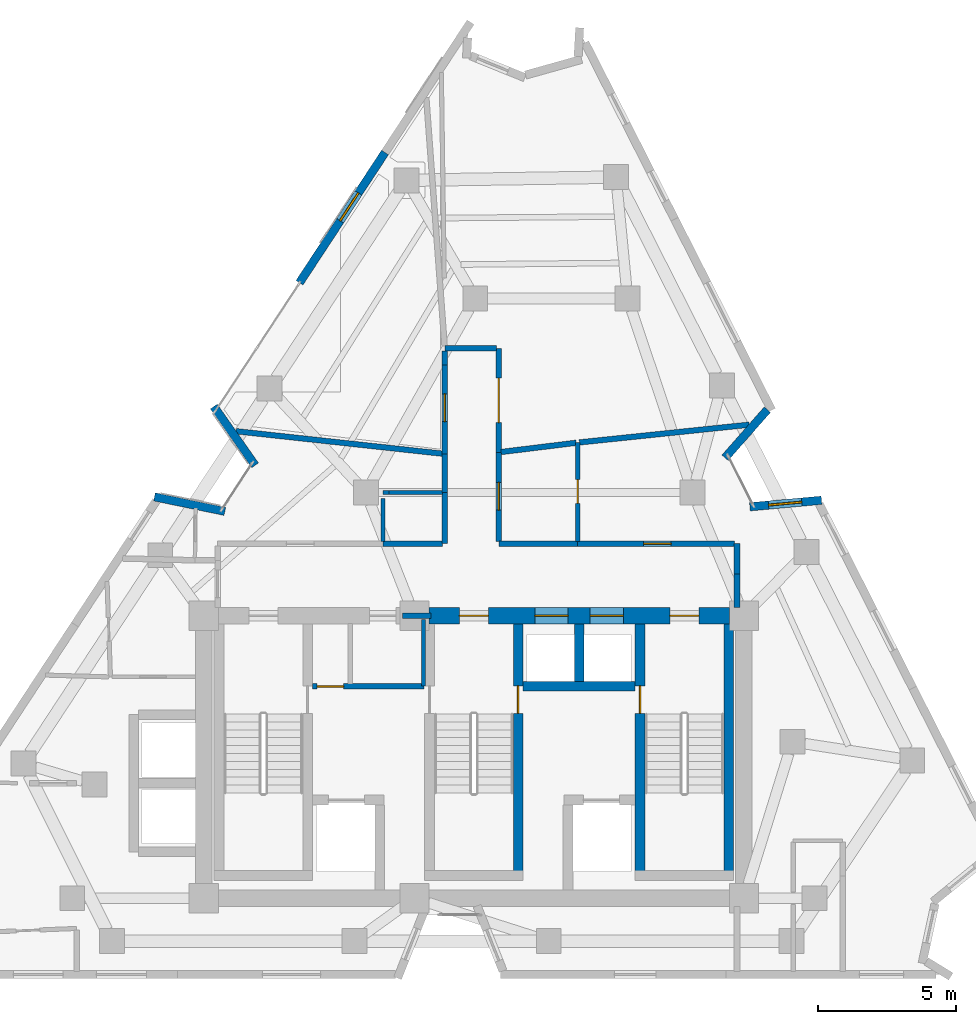
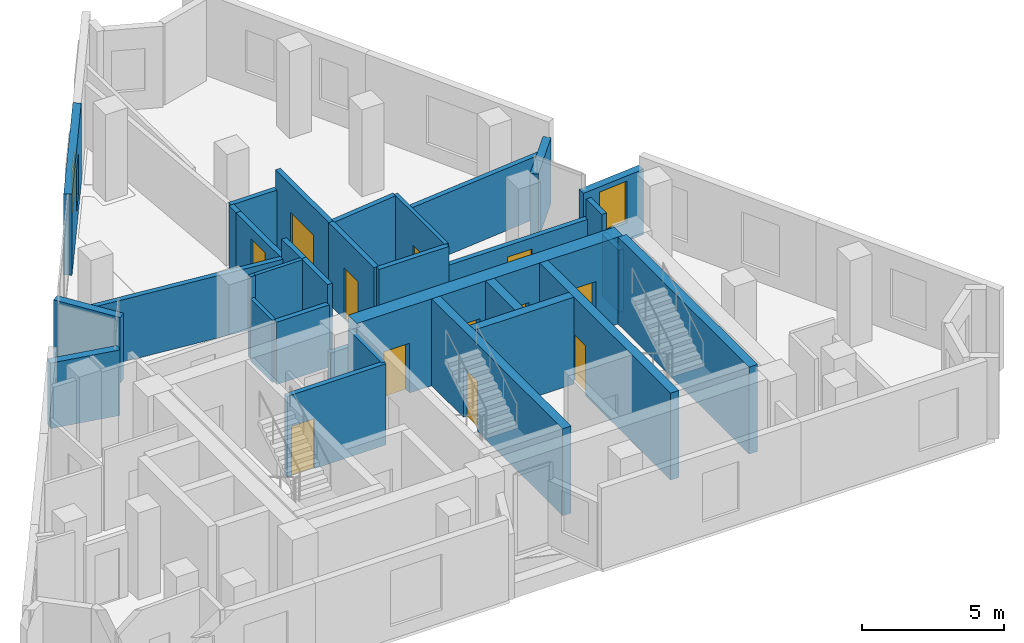
# One storey, part 6 of 8: 33 walls, 12 doors, 2 windows, 14 openings.
"""IFC4 building model written with IfcOpenShell, lengths in metres."""

from ifc_helpers import new_model, si_unit, direction, frame, frame_2d, origin, place, context, subcontext, project, spatial, rectangle, extrude, material, layer, layer_set, type_object, element, fill, save


model = new_model("IFC4")

# Units and contexts
model_context = context("Model", 3, precision=1e-05, world=origin(), true_north=direction((0.0, 1.0)))
body_context = subcontext(model_context, "Body", "Model", "MODEL_VIEW")
ifc_project = project(units=[si_unit("LENGTHUNIT", "METRE"), si_unit("AREAUNIT", "SQUARE_METRE"), si_unit("VOLUMEUNIT", "CUBIC_METRE"), si_unit("PLANEANGLEUNIT", "RADIAN"), si_unit("MASSUNIT", "GRAM", prefix="KILO")], contexts=[model_context])

# Site, building, storey
site_placement = place(None, origin())
site = spatial("IfcSite", under=ifc_project, at=site_placement, CompositionType="ELEMENT")
building_placement = place(site_placement, origin())
building = spatial("IfcBuilding", under=site, at=building_placement, Name="Almagre Mirador Tower", CompositionType="ELEMENT")
storey_placement = place(building_placement, frame((0.0, 0.0, 240.75)))
storey = spatial("IfcBuildingStorey", under=building, at=storey_placement, Name="L62", CompositionType="ELEMENT", Elevation=240.75)

# Walls
ifc_material_1 = material(Name="Precast concrete C50/60", Category="concrete")
ifc_layer_1 = layer(ifc_material_1, 0.300048828125)
ifc_layer_set_1 = layer_set([ifc_layer_1], Name="Precast concrete C50/60")
wall_type_1 = type_object("IfcWallType", Name="WAL-EXT-300", PredefinedType="SOLIDWALL", material=ifc_layer_set_1)
wall_1_placement = place(storey_placement, frame((25.77001953125, 19.040283203125, 0.0), z_axis=(0.0, 0.0, 1.0), x_axis=(0.979494216194, -0.20147228207, 0.0)))
element("IfcWall", 1, at=wall_1_placement, inside=storey, type_object=wall_type_1, Name="L62 expressed almagre precast frame wall 01", PredefinedType="SOLIDWALL", context=body_context, shape_type="SweptSolid", body=[
    extrude(rectangle(XDim=2.59326171875, YDim=0.300048828125, at=frame_2d((1.296630859375, 0.0))), origin(), (0.0, 0.0, 1.0), 2.824951171875),
])
wall_2_placement = place(storey_placement, frame((29.4013671875, 20.178466796875, 0.0), z_axis=(0.0, 0.0, 1.0), x_axis=(-0.573967598523, 0.818878010356, 0.0)))
element("IfcWall", 2, at=wall_2_placement, inside=storey, type_object=wall_type_1, Name="L62 expressed almagre precast frame wall 02", PredefinedType="SOLIDWALL", context=body_context, shape_type="SweptSolid", body=[
    extrude(rectangle(XDim=2.59375, YDim=0.300048828125, at=frame_2d((1.296875, 0.0))), origin(), (0.0, 0.0, 1.0), 2.824951171875),
])

# Wall, opening, window
wall_3_placement = place(storey_placement, frame((31.00439453125, 26.77197265625, 0.0), z_axis=(0.0, 0.0, 1.0), x_axis=(0.549047957694, 0.835790847134, 0.0)))
wall_3 = element("IfcWall", 3, at=wall_3_placement, inside=storey, type_object=wall_type_1, Name="L62 expressed almagre precast frame wall 03", PredefinedType="SOLIDWALL", context=body_context, shape_type="SweptSolid", body=[
    extrude(rectangle(XDim=5.62451171875, YDim=0.300048828125, at=frame_2d((2.812255859375, 0.0))), origin(), (0.0, 0.0, 1.0), 3.5),
])
opening_1_placement = place(wall_3_placement, frame((2.675048828125, 0.0, 0.800048828125)))
opening_1 = element("IfcOpeningElement", 4, at=opening_1_placement, cuts=wall_3, Name="Opening WN-04", PredefinedType="OPENING", context=body_context, shape_type="SweptSolid", body=[
    extrude(rectangle(XDim=1.199951171875, YDim=1.800048828125, at=frame_2d((0.60009765625, 0.89990234375))), frame((0.0, 0.159902, 0.0), z_axis=(0.0, -1.0, 0.0), x_axis=(1.0, 0.0, 0.0)), (0.0, 0.0, 1.0), 0.320049),
])
ifc_material_2 = material(Name="Dark solar-control laminated hurricane glass", Category="glass")
window_type = type_object("IfcWindowType", Name="WIN-1200X1800", PartitioningType="SINGLE_PANEL", PredefinedType="WINDOW", material=ifc_material_2)
window_1_placement = place(opening_1_placement, origin())
window_1 = element("IfcWindow", 5, at=window_1_placement, inside=storey, type_object=window_type, Name="L62 recessed hurricane window L62-UH-KT", OverallHeight=1.800048828125, OverallWidth=1.199951171875, PartitioningType="SINGLE_PANEL", PredefinedType="WINDOW", context=body_context, shape_type="SweptSolid", body=[
    extrude(rectangle(XDim=1.199951171875, YDim=1.800048828125, at=frame_2d((0.60009765625, 0.89990234375))), frame((0.0, 0.030029296875, 0.0), z_axis=(0.0, -1.0, 0.0), x_axis=(1.0, 0.0, 0.0)), (0.0, 0.0, 1.0), 0.06005859375),
])
fill(opening_1, window_1)

# Wall
wall_4_placement = place(storey_placement, frame((47.896484375, 22.18896484375, 0.0), z_axis=(0.0, 0.0, 1.0), x_axis=(-0.660944240616, -0.750435014373, 0.0)))
element("IfcWall", 6, at=wall_4_placement, inside=storey, type_object=wall_type_1, Name="L62 expressed almagre precast frame wall 11", PredefinedType="SOLIDWALL", context=body_context, shape_type="SweptSolid", body=[
    extrude(rectangle(XDim=2.3134765625, YDim=0.300048828125, at=frame_2d((1.15673828125, 0.0))), origin(), (0.0, 0.0, 1.0), 2.824951171875),
])

# Wall, opening, window
wall_5_placement = place(storey_placement, frame((47.2666015625, 18.68212890625, 0.0), z_axis=(0.0, 0.0, 1.0), x_axis=(0.995834379581, 0.091180526676, 0.0)))
wall_5 = element("IfcWall", 7, at=wall_5_placement, inside=storey, type_object=wall_type_1, Name="L62 expressed almagre precast frame wall 12", PredefinedType="SOLIDWALL", context=body_context, shape_type="SweptSolid", body=[
    extrude(rectangle(XDim=2.594482421875, YDim=0.300048828125, at=frame_2d((1.29736328125, 0.0))), origin(), (0.0, 0.0, 1.0), 2.824951171875),
])
opening_2_placement = place(wall_5_placement, frame((0.675048828125, 0.0, 0.800048828125)))
opening_2 = element("IfcOpeningElement", 8, at=opening_2_placement, cuts=wall_5, Name="Opening WN-04", PredefinedType="OPENING", context=body_context, shape_type="SweptSolid", body=[
    extrude(rectangle(XDim=1.199951171875, YDim=1.800048828125, at=frame_2d((0.60009765625, 0.89990234375))), frame((0.0, 0.159902, 0.0), z_axis=(0.0, -1.0, 0.0), x_axis=(1.0, 0.0, 0.0)), (0.0, 0.0, 1.0), 0.320049),
])
window_2_placement = place(opening_2_placement, origin())
window_2 = element("IfcWindow", 9, at=window_2_placement, inside=storey, type_object=window_type, Name="L62 recessed hurricane window L62-UG-ST", OverallHeight=1.800048828125, OverallWidth=1.199951171875, PartitioningType="SINGLE_PANEL", PredefinedType="WINDOW", context=body_context, shape_type="SweptSolid", body=[
    extrude(rectangle(XDim=1.199951171875, YDim=1.800048828125, at=frame_2d((0.60009765625, 0.89990234375))), frame((0.0, 0.030029296875, 0.0), z_axis=(0.0, -1.0, 0.0), x_axis=(1.0, 0.0, 0.0)), (0.0, 0.0, 1.0), 0.06005859375),
])
fill(opening_2, window_2)

# Walls
ifc_material_3 = material(Name="Gypsum acoustic stud partition", Category="other")
ifc_layer_2 = layer(ifc_material_3, 0.14990234375)
ifc_layer_set_2 = layer_set([ifc_layer_2], Name="Gypsum acoustic stud partition")
wall_type_2 = type_object("IfcWallType", Name="WAL-PRT-150-STD", PredefinedType="PARTITIONING", material=ifc_layer_set_2)
wall_6_placement = place(storey_placement, frame((34.02001953125, 17.43505859375, 0.0), z_axis=(0.0, 0.0, 1.0), x_axis=(0.0, 1.0, 0.0)))
element("IfcWall", 10, at=wall_6_placement, inside=storey, type_object=wall_type_2, Name="L62 interior partition 045", PredefinedType="PARTITIONING", context=body_context, shape_type="SweptSolid", body=[
    extrude(rectangle(XDim=1.544921875, YDim=0.14990234375, at=frame_2d((0.7724609375, 0.0))), origin(), (0.0, 0.0, 1.0), 2.68505859375),
])
wall_7_placement = place(storey_placement, frame((34.239990234375, 19.199951171875, 0.0), z_axis=(0.0, 0.0, 1.0), x_axis=(1.0, 0.0, 0.0)))
element("IfcWall", 11, at=wall_7_placement, inside=storey, type_object=wall_type_2, Name="L62 interior partition 046", PredefinedType="PARTITIONING", context=body_context, shape_type="SweptSolid", body=[
    extrude(rectangle(XDim=1.925048828125, YDim=0.14990234375, at=frame_2d((0.96240234375, 0.0))), origin(), (0.0, 0.0, 1.0), 3.5),
])

# Wall, opening, door
wall_8_placement = place(storey_placement, frame((41.050048828125, 21.0, 0.0), z_axis=(0.0, 0.0, 1.0), x_axis=(0.0, -1.0, 0.0)))
wall_8 = element("IfcWall", 12, at=wall_8_placement, inside=storey, type_object=wall_type_2, Name="L62 interior partition 051", PredefinedType="PARTITIONING", context=body_context, shape_type="SweptSolid", body=[
    extrude(rectangle(XDim=3.56494140625, YDim=0.14990234375, at=frame_2d((1.782470703125, 0.0))), origin(), (0.0, 0.0, 1.0), 3.5),
])
opening_3_placement = place(wall_8_placement, frame((1.340087890625, 0.0, 0.0)))
opening_3 = element("IfcOpeningElement", 13, at=opening_3_placement, cuts=wall_8, Name="Opening UD-04", PredefinedType="OPENING", context=body_context, shape_type="SweptSolid", body=[
    extrude(rectangle(XDim=0.85009765625, YDim=2.10009765625, at=frame_2d((0.425048828125, 1.050048828125))), frame((0.0, 0.084951, 0.0), z_axis=(0.0, -1.0, 0.0), x_axis=(1.0, 0.0, 0.0)), (0.0, 0.0, 1.0), 0.169902),
])
ifc_material_4 = material(Name="Moisture-resistant oak timber", Category="wood")
door_type_1 = type_object("IfcDoorType", Name="DOR-UNR-850X2100", OperationType="NOTDEFINED", PredefinedType="DOOR", material=ifc_material_4)
door_1_placement = place(opening_3_placement, origin())
door_1 = element("IfcDoor", 14, at=door_1_placement, inside=storey, type_object=door_type_1, Name="DR-1922 L62 interior door L62-UG-ST to L62-UG-BT", OperationType="SINGLE_SWING_RIGHT", OverallHeight=2.10009765625, OverallWidth=0.85009765625, PredefinedType="DOOR", context=body_context, shape_type="SweptSolid", body=[
    extrude(rectangle(XDim=0.85009765625, YDim=2.10009765625, at=frame_2d((0.425048828125, 1.050048828125))), frame((0.0, 0.02490234375, 0.0), z_axis=(0.0, -1.0, 0.0), x_axis=(1.0, 0.0, 0.0)), (0.0, 0.0, 1.0), 0.050048828125),
])
fill(opening_3, door_1)

# Walls
wall_9_placement = place(storey_placement, frame((34.239990234375, 19.199951171875, 0.0), z_axis=(0.0, 0.0, 1.0), x_axis=(-1.0, 0.0, 0.0)))
element("IfcWall", 15, at=wall_9_placement, inside=storey, type_object=wall_type_2, Name="L62 interior partition 069", PredefinedType="PARTITIONING", context=body_context, shape_type="SweptSolid", body=[
    extrude(rectangle(XDim=0.219970703125, YDim=0.14990234375, at=frame_2d((0.10986328125, 0.0))), origin(), (0.0, 0.0, 1.0), 3.5),
])
ifc_material_5 = material(Name="Gypsum acoustic stud partition", Category="other")
ifc_layer_3 = layer(ifc_material_5, 0.199951171875)
ifc_layer_set_3 = layer_set([ifc_layer_3], Name="Gypsum acoustic stud partition")
wall_type_3 = type_object("IfcWallType", Name="WAL-PRT-200-EI60", PredefinedType="PARTITIONING", material=ifc_layer_set_3)
wall_10_placement = place(storey_placement, frame((34.719970703125, 14.75, 0.0), z_axis=(0.0, 0.0, 1.0), x_axis=(1.0, 0.0, 0.0)))
element("IfcWall", 16, at=wall_10_placement, inside=storey, type_object=wall_type_3, Name="L62 core north closure wall", PredefinedType="PARTITIONING", context=body_context, shape_type="SweptSolid", body=[
    extrude(rectangle(XDim=1.030029296875, YDim=0.199951171875, at=frame_2d((0.51513671875, 0.0))), origin(), (0.0, 0.0, 1.0), 2.68505859375),
])

# Wall, opening, door
wall_11_placement = place(storey_placement, frame((31.47998046875, 12.199951171875, 0.0), z_axis=(0.0, 0.0, 1.0), x_axis=(1.0, 0.0, 0.0)))
wall_11 = element("IfcWall", 17, at=wall_11_placement, inside=storey, type_object=wall_type_3, Name="L62 FFL-1 north enclosure wall", PredefinedType="PARTITIONING", context=body_context, shape_type="SweptSolid", body=[
    extrude(rectangle(XDim=4.024658203125, YDim=0.199951171875, at=frame_2d((2.01220703125, 0.0))), origin(), (0.0, 0.0, 1.0), 3.5),
])
opening_4_placement = place(wall_11_placement, frame((0.1650390625, 0.0, 0.0)))
opening_4 = element("IfcOpeningElement", 18, at=opening_4_placement, cuts=wall_11, Name="Opening ID-02", PredefinedType="OPENING", context=body_context, shape_type="SweptSolid", body=[
    extrude(rectangle(XDim=0.949951171875, YDim=2.14990234375, at=frame_2d((0.47509765625, 1.074951171875))), frame((0.0, 0.110098, 0.0), z_axis=(0.0, -1.0, 0.0), x_axis=(1.0, 0.0, 0.0)), (0.0, 0.0, 1.0), 0.219951),
])
ifc_material_6 = material(Name="Fire-rated walnut timber", Category="wood")
door_type_2 = type_object("IfcDoorType", Name="DOR-FD60-950X2150", OperationType="NOTDEFINED", PredefinedType="DOOR", material=ifc_material_6)
door_2_placement = place(opening_4_placement, origin())
door_2 = element("IfcDoor", 19, at=door_2_placement, inside=storey, type_object=door_type_2, Name="DR-1909 L62 FFL-1 north smoke door", OperationType="SINGLE_SWING_RIGHT", OverallHeight=2.14990234375, OverallWidth=0.949951171875, PredefinedType="DOOR", context=body_context, shape_type="SweptSolid", body=[
    extrude(rectangle(XDim=0.949951171875, YDim=2.14990234375, at=frame_2d((0.47509765625, 1.074951171875))), frame((0.0, 0.02490234375, 0.0), z_axis=(0.0, -1.0, 0.0), x_axis=(1.0, 0.0, 0.0)), (0.0, 0.0, 1.0), 0.050048828125),
])
fill(opening_4, door_2)

# Walls
wall_12_placement = place(storey_placement, frame((35.47998046875, 12.219970703125, 0.0), z_axis=(0.0, 0.0, 1.0), x_axis=(0.0, 1.0, 0.0)))
element("IfcWall", 20, at=wall_12_placement, inside=storey, type_object=wall_type_3, Name="L62 core riser east wall", PredefinedType="PARTITIONING", context=body_context, shape_type="SweptSolid", body=[
    extrude(rectangle(XDim=2.396240234375, YDim=0.14990234375, at=frame_2d((1.1982421875, 0.0))), origin(), (0.0, 0.0, 1.0), 3.5),
])
wall_13_placement = place(storey_placement, frame((36.25, 20.590087890625, 0.0), z_axis=(0.0, 0.0, 1.0), x_axis=(0.0, -1.0, 0.0)))
element("IfcWall", 21, at=wall_13_placement, inside=storey, type_object=wall_type_3, Name="L62 interior partition 004", PredefinedType="PARTITIONING", context=body_context, shape_type="SweptSolid", body=[
    extrude(rectangle(XDim=1.39013671875, YDim=0.199951171875, at=frame_2d((0.695068359375, 0.0))), origin(), (0.0, 0.0, 1.0), 3.5),
])
wall_14_placement = place(storey_placement, frame((36.25, 19.199951171875, 0.0), z_axis=(0.0, 0.0, 1.0), x_axis=(0.0, -1.0, 0.0)))
element("IfcWall", 22, at=wall_14_placement, inside=storey, type_object=wall_type_3, Name="L62 interior partition 005", PredefinedType="PARTITIONING", context=body_context, shape_type="SweptSolid", body=[
    extrude(rectangle(XDim=1.849853515625, YDim=0.199951171875, at=frame_2d((0.9248046875, 0.0))), origin(), (0.0, 0.0, 1.0), 3.5),
])
wall_15_placement = place(storey_placement, frame((36.1650390625, 17.35009765625, 0.0), z_axis=(0.0, 0.0, 1.0), x_axis=(-1.0, 0.0, 0.0)))
element("IfcWall", 23, at=wall_15_placement, inside=storey, type_object=wall_type_3, Name="L62 interior partition 006", PredefinedType="PARTITIONING", context=body_context, shape_type="SweptSolid", body=[
    extrude(rectangle(XDim=2.14501953125, YDim=0.199951171875, at=frame_2d((1.072509765625, 0.0))), origin(), (0.0, 0.0, 1.0), 2.68505859375),
])
wall_16_placement = place(storey_placement, frame((46.800048828125, 16.25, 0.0), z_axis=(0.0, 0.0, 1.0), x_axis=(0.0, 1.0, 0.0)))
element("IfcWall", 24, at=wall_16_placement, inside=storey, type_object=wall_type_3, Name="L62 interior partition 007", PredefinedType="PARTITIONING", context=body_context, shape_type="SweptSolid", body=[
    extrude(rectangle(XDim=1.10009765625, YDim=0.199951171875, at=frame_2d((0.550048828125, 0.0))), origin(), (0.0, 0.0, 1.0), 3.5),
])

# Wall, opening, door
wall_17_placement = place(storey_placement, frame((46.715087890625, 17.35009765625, 0.0), z_axis=(0.0, 0.0, 1.0), x_axis=(-1.0, 0.0, 0.0)))
wall_17 = element("IfcWall", 25, at=wall_17_placement, inside=storey, type_object=wall_type_3, Name="L62 interior partition 008", PredefinedType="PARTITIONING", context=body_context, shape_type="SweptSolid", body=[
    extrude(rectangle(XDim=5.6650390625, YDim=0.199951171875, at=frame_2d((2.83251953125, 0.0))), origin(), (0.0, 0.0, 1.0), 2.68505859375),
])
opening_5_placement = place(wall_17_placement, frame((2.2900390625, 0.0, 0.0)))
opening_5 = element("IfcOpeningElement", 26, at=opening_5_placement, cuts=wall_17, Name="Opening ID-01", PredefinedType="OPENING", context=body_context, shape_type="SweptSolid", body=[
    extrude(rectangle(XDim=1.0, YDim=2.199951171875, at=frame_2d((0.5, 1.10009765625))), frame((0.0, 0.110098, 0.0), z_axis=(0.0, -1.0, 0.0), x_axis=(1.0, 0.0, 0.0)), (0.0, 0.0, 1.0), 0.219951),
])
ifc_material_7 = material(Name="Fire-rated walnut timber", Category="wood")
door_type_3 = type_object("IfcDoorType", Name="DOR-FD60-1000X2200", OperationType="NOTDEFINED", PredefinedType="DOOR", material=ifc_material_7)
door_3_placement = place(opening_5_placement, origin())
door_3 = element("IfcDoor", 27, at=door_3_placement, inside=storey, type_object=door_type_3, Name="DR-1921 L62 interior door L62-RCOR to L62-UG-ST", OperationType="SINGLE_SWING_LEFT", OverallHeight=2.199951171875, OverallWidth=1.0, PredefinedType="DOOR", context=body_context, shape_type="SweptSolid", body=[
    extrude(rectangle(XDim=1.0, YDim=2.199951171875, at=frame_2d((0.5, 1.10009765625))), frame((0.0, 0.02490234375, 0.0), z_axis=(0.0, -1.0, 0.0), x_axis=(1.0, 0.0, 0.0)), (0.0, 0.0, 1.0), 0.050048828125),
])
fill(opening_5, door_3)

# Walls
wall_18_placement = place(storey_placement, frame((46.800048828125, 15.050048828125, 0.0), z_axis=(0.0, 0.0, 1.0), x_axis=(0.0, 1.0, 0.0)))
element("IfcWall", 28, at=wall_18_placement, inside=storey, type_object=wall_type_3, Name="L62 interior partition 009", PredefinedType="PARTITIONING", context=body_context, shape_type="SweptSolid", body=[
    extrude(rectangle(XDim=1.199951171875, YDim=0.199951171875, at=frame_2d((0.60009765625, 0.0))), origin(), (0.0, 0.0, 1.0), 2.68505859375),
])
wall_19_placement = place(storey_placement, frame((41.050048828125, 17.35009765625, 0.0), z_axis=(0.0, 0.0, 1.0), x_axis=(-1.0, 0.0, 0.0)))
element("IfcWall", 29, at=wall_19_placement, inside=storey, type_object=wall_type_3, Name="L62 interior partition 010", PredefinedType="PARTITIONING", context=body_context, shape_type="SweptSolid", body=[
    extrude(rectangle(XDim=2.85009765625, YDim=0.199951171875, at=frame_2d((1.425048828125, 0.0))), origin(), (0.0, 0.0, 1.0), 3.5),
])

# Wall, opening, door
wall_20_placement = place(storey_placement, frame((38.199951171875, 17.43505859375, 0.0), z_axis=(0.0, 0.0, 1.0), x_axis=(0.0, 1.0, 0.0)))
wall_20 = element("IfcWall", 30, at=wall_20_placement, inside=storey, type_object=wall_type_3, Name="L62 interior partition 011", PredefinedType="PARTITIONING", context=body_context, shape_type="SweptSolid", body=[
    extrude(rectangle(XDim=3.21484375, YDim=0.199951171875, at=frame_2d((1.607421875, 0.0))), origin(), (0.0, 0.0, 1.0), 3.5),
])
opening_6_placement = place(wall_20_placement, frame((1.12451171875, 0.0, 0.0)))
opening_6 = element("IfcOpeningElement", 31, at=opening_6_placement, cuts=wall_20, Name="Opening ID-01", PredefinedType="OPENING", context=body_context, shape_type="SweptSolid", body=[
    extrude(rectangle(XDim=1.0, YDim=2.199951171875, at=frame_2d((0.5, 1.10009765625))), frame((0.0, 0.110098, 0.0), z_axis=(0.0, -1.0, 0.0), x_axis=(1.0, 0.0, 0.0)), (0.0, 0.0, 1.0), 0.219951),
])
door_4_placement = place(opening_6_placement, origin())
door_4 = element("IfcDoor", 32, at=door_4_placement, inside=storey, type_object=door_type_3, Name="DR-1925 L62 interior door L62-RCOR to L62-UG-BT", OperationType="SINGLE_SWING_RIGHT", OverallHeight=2.199951171875, OverallWidth=1.0, PredefinedType="DOOR", context=body_context, shape_type="SweptSolid", body=[
    extrude(rectangle(XDim=1.0, YDim=2.199951171875, at=frame_2d((0.5, 1.10009765625))), frame((0.0, 0.02490234375, 0.0), z_axis=(0.0, -1.0, 0.0), x_axis=(1.0, 0.0, 0.0)), (0.0, 0.0, 1.0), 0.050048828125),
])
fill(opening_6, door_4)

wall_21_placement = place(storey_placement, frame((36.25, 23.81005859375, 0.0), z_axis=(0.0, 0.0, 1.0), x_axis=(0.0, -1.0, 0.0)))
wall_21 = element("IfcWall", 33, at=wall_21_placement, inside=storey, type_object=wall_type_3, Name="L62 interior partition 012", PredefinedType="PARTITIONING", context=body_context, shape_type="SweptSolid", body=[
    extrude(rectangle(XDim=3.219970703125, YDim=0.199951171875, at=frame_2d((1.60986328125, 0.0))), origin(), (0.0, 0.0, 1.0), 2.68505859375),
])
opening_7_placement = place(wall_21_placement, frame((1.052978515625, 0.0, 0.0)))
opening_7 = element("IfcOpeningElement", 34, at=opening_7_placement, cuts=wall_21, Name="Opening ID-01", PredefinedType="OPENING", context=body_context, shape_type="SweptSolid", body=[
    extrude(rectangle(XDim=1.0, YDim=2.199951171875, at=frame_2d((0.5, 1.10009765625))), frame((0.0, 0.110098, 0.0), z_axis=(0.0, -1.0, 0.0), x_axis=(1.0, 0.0, 0.0)), (0.0, 0.0, 1.0), 0.219951),
])
door_5_placement = place(opening_7_placement, origin())
door_5 = element("IfcDoor", 35, at=door_5_placement, inside=storey, type_object=door_type_3, Name="DR-1923 L62 interior door L62-RCOR to L62-UH-ST", OperationType="SINGLE_SWING_LEFT", OverallHeight=2.199951171875, OverallWidth=1.0, PredefinedType="DOOR", context=body_context, shape_type="SweptSolid", body=[
    extrude(rectangle(XDim=1.0, YDim=2.199951171875, at=frame_2d((0.5, 1.10009765625))), frame((0.0, 0.02490234375, 0.0), z_axis=(0.0, -1.0, 0.0), x_axis=(1.0, 0.0, 0.0)), (0.0, 0.0, 1.0), 0.050048828125),
])
fill(opening_7, door_5)

wall_22_placement = place(storey_placement, frame((38.199951171875, 20.64990234375, 0.0), z_axis=(0.0, 0.0, 1.0), x_axis=(0.0, 1.0, 0.0)))
wall_22 = element("IfcWall", 36, at=wall_22_placement, inside=storey, type_object=wall_type_3, Name="L62 interior partition 014", PredefinedType="PARTITIONING", context=body_context, shape_type="SweptSolid", body=[
    extrude(rectangle(XDim=3.75, YDim=0.199951171875, at=frame_2d((1.875, 0.0))), origin(), (0.0, 0.0, 1.0), 3.5),
])
opening_8_placement = place(wall_22_placement, frame((1.074951171875, 0.0, 0.0)))
opening_8 = element("IfcOpeningElement", 37, at=opening_8_placement, cuts=wall_22, Name="Opening ID-05", PredefinedType="OPENING", context=body_context, shape_type="SweptSolid", body=[
    extrude(rectangle(XDim=1.60009765625, YDim=2.300048828125, at=frame_2d((0.800048828125, 1.14990234375))), frame((0.0, 0.110098, 0.0), z_axis=(0.0, -1.0, 0.0), x_axis=(1.0, 0.0, 0.0)), (0.0, 0.0, 1.0), 0.219951),
])
ifc_material_8 = material(Name="Fire-rated acoustic timber", Category="wood")
door_type_4 = type_object("IfcDoorType", Name="DOR-FD60-1600X2300", OperationType="DOUBLE_DOOR_SINGLE_SWING", PredefinedType="DOOR", material=ifc_material_8)
door_6_placement = place(opening_8_placement, origin())
door_6 = element("IfcDoor", 38, at=door_6_placement, inside=storey, type_object=door_type_4, Name="DR-1914 L62 interior door L62-RCOR to L62-RST-J", OperationType="DOUBLE_DOOR_SINGLE_SWING", OverallHeight=2.300048828125, OverallWidth=1.60009765625, PredefinedType="DOOR", context=body_context, shape_type="SweptSolid", body=[
    extrude(rectangle(XDim=1.60009765625, YDim=2.300048828125, at=frame_2d((0.800048828125, 1.14990234375))), frame((0.0, 0.02490234375, 0.0), z_axis=(0.0, -1.0, 0.0), x_axis=(1.0, 0.0, 0.0)), (0.0, 0.0, 1.0), 0.050048828125),
])
fill(opening_8, door_6)

# Walls
wall_23_placement = place(storey_placement, frame((38.114990234375, 24.39990234375, 0.0), z_axis=(0.0, 0.0, 1.0), x_axis=(-1.0, 0.0, 0.0)))
element("IfcWall", 39, at=wall_23_placement, inside=storey, type_object=wall_type_3, Name="L62 interior partition 015", PredefinedType="PARTITIONING", context=body_context, shape_type="SweptSolid", body=[
    extrude(rectangle(XDim=1.864990234375, YDim=0.199951171875, at=frame_2d((0.9326171875, 0.0))), origin(), (0.0, 0.0, 1.0), 2.68505859375),
])
wall_24_placement = place(storey_placement, frame((47.242919921875, 21.64599609375, 0.0), z_axis=(0.0, 0.0, 1.0), x_axis=(-0.994609735806, -0.10368931208, 0.0)))
element("IfcWall", 40, at=wall_24_placement, inside=storey, type_object=wall_type_3, Name="L62 interior partition 052", PredefinedType="PARTITIONING", context=body_context, shape_type="SweptSolid", body=[
    extrude(rectangle(XDim=6.16650390625, YDim=0.199951171875, at=frame_2d((3.083251953125, 0.0))), origin(), (0.0, 0.0, 1.0), 2.68505859375),
])
wall_25_placement = place(storey_placement, frame((40.990478515625, 20.99267578125, 0.0), z_axis=(0.0, 0.0, 1.0), x_axis=(-0.992545545842, -0.121874277146, 0.0)))
element("IfcWall", 41, at=wall_25_placement, inside=storey, type_object=wall_type_3, Name="L62 interior partition 053", PredefinedType="PARTITIONING", context=body_context, shape_type="SweptSolid", body=[
    extrude(rectangle(XDim=2.726318359375, YDim=0.199951171875, at=frame_2d((1.36328125, 0.0))), origin(), (0.0, 0.0, 1.0), 3.5),
])
wall_26_placement = place(storey_placement, frame((36.25, 24.31494140625, 0.0), z_axis=(0.0, 0.0, 1.0), x_axis=(0.0, -1.0, 0.0)))
element("IfcWall", 42, at=wall_26_placement, inside=storey, type_object=wall_type_3, Name="L62 interior partition 062", PredefinedType="PARTITIONING", context=body_context, shape_type="SweptSolid", body=[
    extrude(rectangle(XDim=0.5048828125, YDim=0.199951171875, at=frame_2d((0.25244140625, 0.0))), origin(), (0.0, 0.0, 1.0), 2.68505859375),
])
wall_27_placement = place(storey_placement, frame((36.16552734375, 20.599609375, 0.0), z_axis=(0.0, 0.0, 1.0), x_axis=(-0.994123675756, 0.108250253122, 0.0)))
element("IfcWall", 43, at=wall_27_placement, inside=storey, type_object=wall_type_3, Name="L62 interior partition 064", PredefinedType="PARTITIONING", context=body_context, shape_type="SweptSolid", body=[
    extrude(rectangle(XDim=7.494384765625, YDim=0.199951171875, at=frame_2d((3.7470703125, 0.0))), origin(), (0.0, 0.0, 1.0), 2.68505859375),
])

# Wall, opening, door
ifc_material_9 = material(Name="Concrete C60/75", Category="concrete")
ifc_layer_4 = layer(ifc_material_9, 0.35009765625)
ifc_layer_set_4 = layer_set([ifc_layer_4], Name="Concrete C60/75")
wall_type_4 = type_object("IfcWallType", Name="WAL-SHF-350", PredefinedType="SOLIDWALL", material=ifc_layer_set_4)
wall_28_placement = place(storey_placement, frame((38.89990234375, 5.199951171875, 0.0), z_axis=(0.0, 0.0, 1.0), x_axis=(0.0, 1.0, 0.0)))
wall_28 = element("IfcWall", 44, at=wall_28_placement, inside=storey, type_object=wall_type_4, Name="L62 shaft wall ST2-E", PredefinedType="SOLIDWALL", context=body_context, shape_type="SweptSolid", body=[
    extrude(rectangle(XDim=9.25, YDim=0.35009765625, at=frame_2d((4.625, 0.0))), origin(), (0.0, 0.0, 1.0), 3.75),
])
opening_9_placement = place(wall_28_placement, frame((6.02001953125, 0.0, 0.0)))
opening_9 = element("IfcOpeningElement", 45, at=opening_9_placement, cuts=wall_28, Name="Opening FD-01", PredefinedType="OPENING", context=body_context, shape_type="SweptSolid", body=[
    extrude(rectangle(XDim=1.0, YDim=2.14990234375, at=frame_2d((0.5, 1.074951171875))), frame((0.0, 0.185049, 0.0), z_axis=(0.0, -1.0, 0.0), x_axis=(1.0, 0.0, 0.0)), (0.0, 0.0, 1.0), 0.370098),
])
ifc_material_10 = material(Name="Fire-rated hollow steel", Category="steel")
door_type_5 = type_object("IfcDoorType", Name="DOR-FFL-1000X2150", OperationType="NOTDEFINED", PredefinedType="DOOR", material=ifc_material_10)
door_7_placement = place(opening_9_placement, origin())
door_7 = element("IfcDoor", 46, at=door_7_placement, inside=storey, type_object=door_type_5, Name="DR-1912 L62 FFL2-ST2 smokeproof door", OperationType="SINGLE_SWING_RIGHT", OverallHeight=2.14990234375, OverallWidth=1.0, PredefinedType="DOOR", context=body_context, shape_type="SweptSolid", body=[
    extrude(rectangle(XDim=1.0, YDim=2.14990234375, at=frame_2d((0.5, 1.074951171875))), frame((0.0, 0.02490234375, 0.0), z_axis=(0.0, -1.0, 0.0), x_axis=(1.0, 0.0, 0.0)), (0.0, 0.0, 1.0), 0.050048828125),
])
fill(opening_9, door_7)

wall_29_placement = place(storey_placement, frame((43.300048828125, 5.199951171875, 0.0), z_axis=(0.0, 0.0, 1.0), x_axis=(0.0, 1.0, 0.0)))
wall_29 = element("IfcWall", 47, at=wall_29_placement, inside=storey, type_object=wall_type_4, Name="L62 shaft wall ST3-W", PredefinedType="SOLIDWALL", context=body_context, shape_type="SweptSolid", body=[
    extrude(rectangle(XDim=9.25, YDim=0.35009765625, at=frame_2d((4.625, 0.0))), origin(), (0.0, 0.0, 1.0), 3.75),
])
opening_10_placement = place(wall_29_placement, frame((6.02001953125, 0.0, 0.0)))
opening_10 = element("IfcOpeningElement", 48, at=opening_10_placement, cuts=wall_29, Name="Opening FD-01", PredefinedType="OPENING", context=body_context, shape_type="SweptSolid", body=[
    extrude(rectangle(XDim=1.0, YDim=2.14990234375, at=frame_2d((0.5, 1.074951171875))), frame((0.0, 0.185049, 0.0), z_axis=(0.0, -1.0, 0.0), x_axis=(1.0, 0.0, 0.0)), (0.0, 0.0, 1.0), 0.370098),
])
door_8_placement = place(opening_10_placement, origin())
door_8 = element("IfcDoor", 49, at=door_8_placement, inside=storey, type_object=door_type_5, Name="DR-1913 L62 FFL2-ST3 smokeproof door", OperationType="SINGLE_SWING_LEFT", OverallHeight=2.14990234375, OverallWidth=1.0, PredefinedType="DOOR", context=body_context, shape_type="SweptSolid", body=[
    extrude(rectangle(XDim=1.0, YDim=2.14990234375, at=frame_2d((0.5, 1.074951171875))), frame((0.0, 0.02490234375, 0.0), z_axis=(0.0, -1.0, 0.0), x_axis=(1.0, 0.0, 0.0)), (0.0, 0.0, 1.0), 0.050048828125),
])
fill(opening_10, door_8)

# Walls
wall_30_placement = place(storey_placement, frame((46.5, 5.199951171875, 0.0), z_axis=(0.0, 0.0, 1.0), x_axis=(0.0, 1.0, 0.0)))
element("IfcWall", 50, at=wall_30_placement, inside=storey, type_object=wall_type_4, Name="L62 shaft wall ST3-E", PredefinedType="SOLIDWALL", context=body_context, shape_type="SweptSolid", body=[
    extrude(rectangle(XDim=9.25, YDim=0.35009765625, at=frame_2d((4.625, 0.0))), origin(), (0.0, 0.0, 1.0), 3.75),
])
wall_31_placement = place(storey_placement, frame((39.074951171875, 12.199951171875, 0.0), z_axis=(0.0, 0.0, 1.0), x_axis=(1.0, 0.0, 0.0)))
element("IfcWall", 51, at=wall_31_placement, inside=storey, type_object=wall_type_4, Name="L62 shaft wall PLH-S", PredefinedType="SOLIDWALL", context=body_context, shape_type="SweptSolid", body=[
    extrude(rectangle(XDim=4.050048828125, YDim=0.35009765625, at=frame_2d((2.02490234375, 0.0))), origin(), (0.0, 0.0, 1.0), 3.75),
])
wall_32_placement = place(storey_placement, frame((41.10009765625, 12.375, 0.0), z_axis=(0.0, 0.0, 1.0), x_axis=(0.0, 1.0, 0.0)))
element("IfcWall", 52, at=wall_32_placement, inside=storey, type_object=wall_type_4, Name="L62 shaft wall PLH-M", PredefinedType="SOLIDWALL", context=body_context, shape_type="SweptSolid", body=[
    extrude(rectangle(XDim=2.074951171875, YDim=0.35009765625, at=frame_2d((1.03759765625, 0.0))), origin(), (0.0, 0.0, 1.0), 3.75),
])

# Wall, openings, doors
ifc_material_11 = material(Name="Concrete C60/75", Category="concrete")
ifc_layer_5 = layer(ifc_material_11, 0.60009765625)
ifc_layer_set_5 = layer_set([ifc_layer_5], Name="Concrete C60/75")
wall_type_5 = type_object("IfcWallType", Name="WAL-SHR-600", PredefinedType="SHEAR", material=ifc_layer_set_5)
wall_33_placement = place(storey_placement, frame((35.675048828125, 14.75, 0.0), z_axis=(0.0, 0.0, 1.0), x_axis=(1.0, 0.0, 0.0)))
wall_33 = element("IfcWall", 53, at=wall_33_placement, inside=storey, type_object=wall_type_5, Name="L62 core shear wall N2", PredefinedType="SHEAR", context=body_context, shape_type="SweptSolid", body=[
    extrude(rectangle(XDim=10.849853515625, YDim=0.60009765625, at=frame_2d((5.4248046875, 0.0))), origin(), (0.0, 0.0, 1.0), 3.75),
])
opening_11_placement = place(wall_33_placement, frame((1.10009765625, 0.0, 0.0)))
opening_11 = element("IfcOpeningElement", 54, at=opening_11_placement, cuts=wall_33, Name="Opening SD-01", PredefinedType="OPENING", context=body_context, shape_type="SweptSolid", body=[
    extrude(rectangle(XDim=1.050048828125, YDim=2.14990234375, at=frame_2d((0.52490234375, 1.074951171875))), frame((0.0, 0.310049, 0.0), z_axis=(0.0, -1.0, 0.0), x_axis=(1.0, 0.0, 0.0)), (0.0, 0.0, 1.0), 0.620098),
])
opening_12_placement = place(wall_33_placement, frame((8.699951171875, 0.0, 0.0)))
opening_12 = element("IfcOpeningElement", 55, at=opening_12_placement, cuts=wall_33, Name="Opening SD-01", PredefinedType="OPENING", context=body_context, shape_type="SweptSolid", body=[
    extrude(rectangle(XDim=1.050048828125, YDim=2.14990234375, at=frame_2d((0.52490234375, 1.074951171875))), frame((0.0, 0.310049, 0.0), z_axis=(0.0, -1.0, 0.0), x_axis=(1.0, 0.0, 0.0)), (0.0, 0.0, 1.0), 0.620098),
])
opening_13_placement = place(wall_33_placement, frame((3.824951171875, 0.0, 0.0)))
opening_13 = element("IfcOpeningElement", 56, at=opening_13_placement, cuts=wall_33, Name="Opening LD-02", PredefinedType="OPENING", context=body_context, shape_type="SweptSolid", body=[
    extrude(rectangle(XDim=1.199951171875, YDim=2.199951171875, at=frame_2d((0.60009765625, 1.10009765625))), frame((0.0, 0.310049, 0.0), z_axis=(0.0, -1.0, 0.0), x_axis=(1.0, 0.0, 0.0)), (0.0, 0.0, 1.0), 0.620098),
])
opening_14_placement = place(wall_33_placement, frame((5.824951171875, 0.0, 0.0)))
opening_14 = element("IfcOpeningElement", 57, at=opening_14_placement, cuts=wall_33, Name="Opening LD-02", PredefinedType="OPENING", context=body_context, shape_type="SweptSolid", body=[
    extrude(rectangle(XDim=1.199951171875, YDim=2.199951171875, at=frame_2d((0.60009765625, 1.10009765625))), frame((0.0, 0.310049, 0.0), z_axis=(0.0, -1.0, 0.0), x_axis=(1.0, 0.0, 0.0)), (0.0, 0.0, 1.0), 0.620098),
])
ifc_material_12 = material(Name="Hollow stainless steel", Category="steel")
door_type_6 = type_object("IfcDoorType", Name="DOR-LD-1200X2200", OperationType="DOUBLE_DOOR_SLIDING", PredefinedType="DOOR", material=ifc_material_12)
door_9_placement = place(opening_13_placement, origin())
door_9 = element("IfcDoor", 58, at=door_9_placement, inside=storey, type_object=door_type_6, Name="DR-1928 L62 PL-H1 lift landing door", OperationType="DOUBLE_DOOR_SLIDING", OverallHeight=2.199951171875, OverallWidth=1.199951171875, PredefinedType="DOOR", context=body_context, shape_type="SweptSolid", body=[
    extrude(rectangle(XDim=1.199951171875, YDim=2.199951171875, at=frame_2d((0.60009765625, 1.10009765625))), frame((0.0, 0.02490234375, 0.0), z_axis=(0.0, -1.0, 0.0), x_axis=(1.0, 0.0, 0.0)), (0.0, 0.0, 1.0), 0.050048828125),
])
fill(opening_13, door_9)
door_10_placement = place(opening_14_placement, origin())
door_10 = element("IfcDoor", 59, at=door_10_placement, inside=storey, type_object=door_type_6, Name="DR-1929 L62 PL-H2 lift landing door", OperationType="DOUBLE_DOOR_SLIDING", OverallHeight=2.199951171875, OverallWidth=1.199951171875, PredefinedType="DOOR", context=body_context, shape_type="SweptSolid", body=[
    extrude(rectangle(XDim=1.199951171875, YDim=2.199951171875, at=frame_2d((0.60009765625, 1.10009765625))), frame((0.0, 0.02490234375, 0.0), z_axis=(0.0, -1.0, 0.0), x_axis=(1.0, 0.0, 0.0)), (0.0, 0.0, 1.0), 0.050048828125),
])
fill(opening_14, door_10)
ifc_material_13 = material(Name="Fire-rated hollow steel", Category="steel")
door_type_7 = type_object("IfcDoorType", Name="DOR-ST-1050X2150", OperationType="NOTDEFINED", PredefinedType="DOOR", material=ifc_material_13)
door_11_placement = place(opening_11_placement, origin())
door_11 = element("IfcDoor", 60, at=door_11_placement, inside=storey, type_object=door_type_7, Name="DR-1931 L62 protected exit stair ST-2 door", OperationType="SINGLE_SWING_RIGHT", OverallHeight=2.14990234375, OverallWidth=1.050048828125, PredefinedType="DOOR", context=body_context, shape_type="SweptSolid", body=[
    extrude(rectangle(XDim=1.050048828125, YDim=2.14990234375, at=frame_2d((0.52490234375, 1.074951171875))), frame((0.0, 0.02490234375, 0.0), z_axis=(0.0, -1.0, 0.0), x_axis=(1.0, 0.0, 0.0)), (0.0, 0.0, 1.0), 0.050048828125),
])
fill(opening_11, door_11)
door_12_placement = place(opening_12_placement, origin())
door_12 = element("IfcDoor", 61, at=door_12_placement, inside=storey, type_object=door_type_7, Name="DR-1932 L62 protected exit stair ST-3 door", OperationType="SINGLE_SWING_LEFT", OverallHeight=2.14990234375, OverallWidth=1.050048828125, PredefinedType="DOOR", context=body_context, shape_type="SweptSolid", body=[
    extrude(rectangle(XDim=1.050048828125, YDim=2.14990234375, at=frame_2d((0.52490234375, 1.074951171875))), frame((0.0, 0.02490234375, 0.0), z_axis=(0.0, -1.0, 0.0), x_axis=(1.0, 0.0, 0.0)), (0.0, 0.0, 1.0), 0.050048828125),
])
fill(opening_12, door_12)

save(model, "model.ifc")
